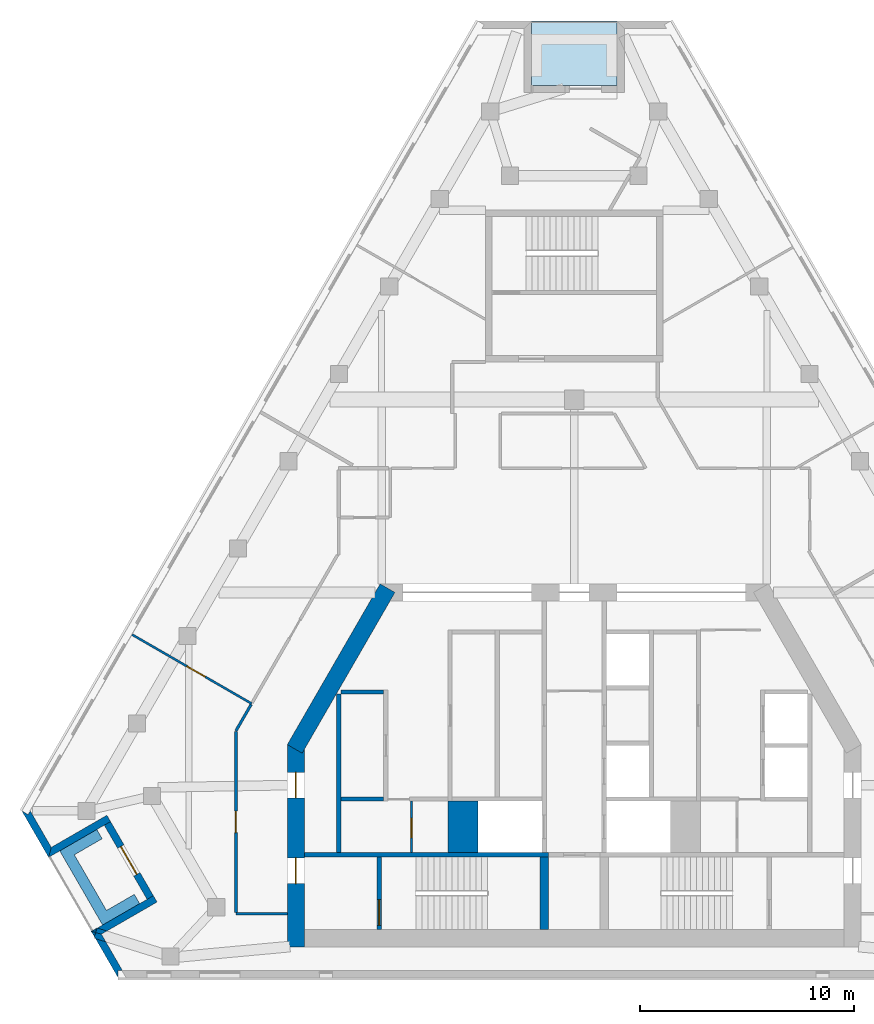
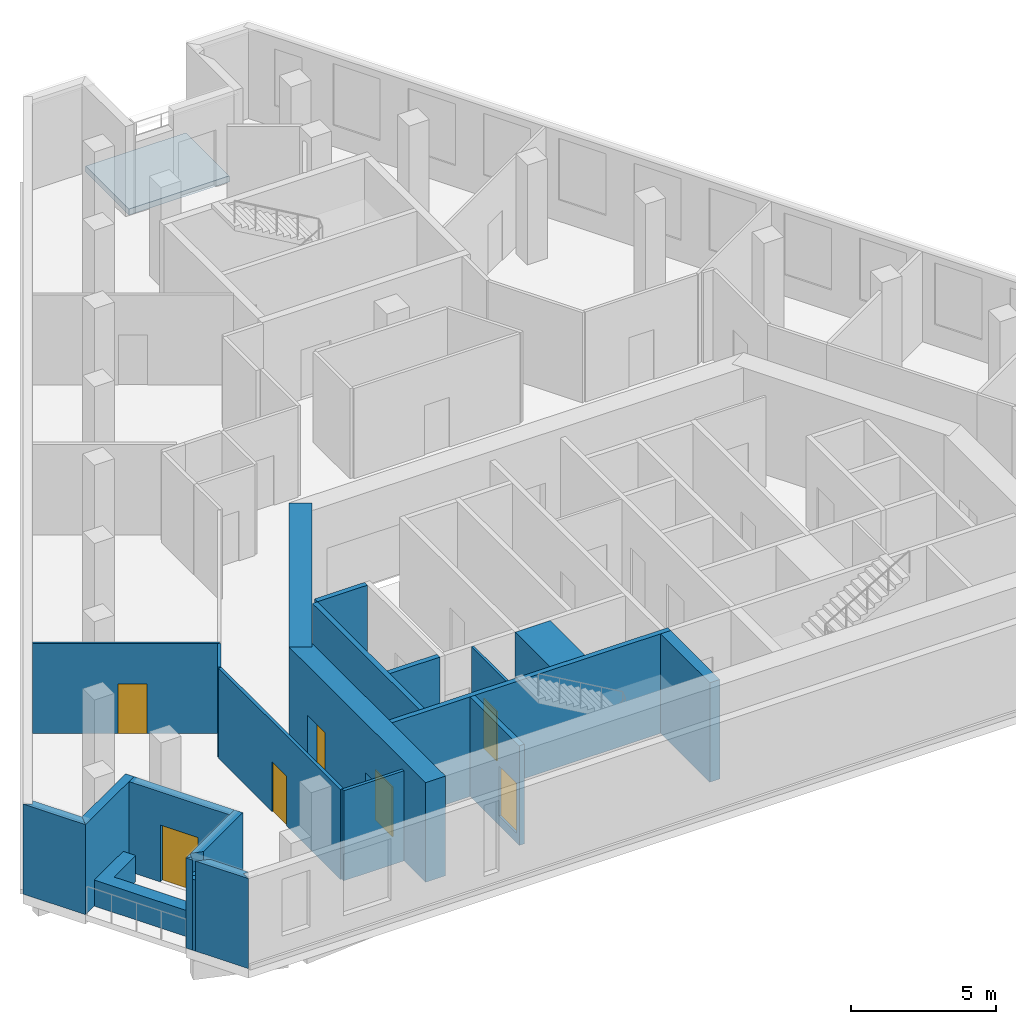
# One storey, part 2 of 8: 24 walls, 7 doors, 1 slab, 7 openings.
"""IFC4 building model written with IfcOpenShell, lengths in metres."""

from ifc_helpers import new_model, si_unit, direction, frame, frame_2d, origin, place, context, subcontext, project, spatial, polyline, rectangle, outline, extrude, material, layer, layer_set, type_object, element, fill, save


model = new_model("IFC4")

# Units and contexts
model_context = context("Model", 3, precision=1e-05, world=origin(), true_north=direction((0.0, 1.0)))
body_context = subcontext(model_context, "Body", "Model", "MODEL_VIEW")
ifc_project = project(units=[si_unit("LENGTHUNIT", "METRE"), si_unit("AREAUNIT", "SQUARE_METRE"), si_unit("VOLUMEUNIT", "CUBIC_METRE"), si_unit("PLANEANGLEUNIT", "RADIAN"), si_unit("MASSUNIT", "GRAM", prefix="KILO")], contexts=[model_context])

# Site, building, storey
site_placement = place(None, origin())
site = spatial("IfcSite", under=ifc_project, at=site_placement, CompositionType="ELEMENT")
building_placement = place(site_placement, origin())
building = spatial("IfcBuilding", under=site, at=building_placement, Name="Fogline Exchange Tower", CompositionType="ELEMENT")
storey_placement = place(building_placement, frame((0.0, 0.0, 275.10009765625)))
storey = spatial("IfcBuildingStorey", under=building, at=storey_placement, Name="L62", CompositionType="ELEMENT", Elevation=275.10009765625)

# Slab
ifc_material_1 = material(Name="Concrete C40", Category="concrete")
ifc_layer_1 = layer(ifc_material_1, 0.25)
ifc_layer_set_1 = layer_set([ifc_layer_1], Name="DK1")
slab_type = type_object("IfcSlabType", Name="DK1", PredefinedType="FLOOR", material=ifc_layer_set_1)
slab_placement = place(storey_placement, frame((0.0, 0.0, -0.25)))
element("IfcSlab", 1, at=slab_placement, inside=storey, type_object=slab_type, Name="Balcony L62 N", PredefinedType="FLOOR", context=body_context, shape_type="SweptSolid", body=[
    extrude(outline(polyline([(2.0, 44.681640625), (-2.0, 44.681640625), (-2.0, 41.681640625), (2.0, 41.681640625), (2.0, 44.681640625)])), origin(), (0.0, 0.0, 1.0), 0.25),
])

# Wall, opening, door
ifc_material_2 = material(Name="Blockwork partition", Category="masonry")
ifc_layer_2 = layer(ifc_material_2, 0.10009765625)
ifc_layer_set_2 = layer_set([ifc_layer_2], Name="CW10")
wall_type_1 = type_object("IfcWallType", Name="CW10", PredefinedType="PARTITIONING", material=ifc_layer_set_2)
wall_1_placement = place(storey_placement, frame((-7.60009765625, 5.85009765625, 0.0), z_axis=(0.0, 0.0, 1.0), x_axis=(0.0, 1.0, 0.0)))
wall_1 = element("IfcWall", 2, at=wall_1_placement, inside=storey, type_object=wall_type_1, Name="WC partition", PredefinedType="PARTITIONING", context=body_context, shape_type="SweptSolid", body=[
    extrude(rectangle(XDim=2.39990234375, YDim=0.10009765625, at=frame_2d((1.199951171875, 0.0))), origin(), (0.0, 0.0, 1.0), 3.7998046875),
])
opening_1_placement = place(wall_1_placement, frame((0.699951171875, 0.0, 0.0)))
opening_1 = element("IfcOpeningElement", 3, at=opening_1_placement, cuts=wall_1, Name="Opening T19-C008", PredefinedType="OPENING", context=body_context, shape_type="SweptSolid", body=[
    extrude(rectangle(XDim=0.89990234375, YDim=2.10009765625, at=frame_2d((0.449951171875, 1.050048828125))), frame((0.0, 0.06005859375, 0.0), z_axis=(0.0, -1.0, 0.0), x_axis=(1.0, 0.0, 0.0)), (0.0, 0.0, 1.0), 0.1201171875),
])
ifc_material_3 = material(Name="Steel and timber fire door", Category="steel")
door_type_1 = type_object("IfcDoorType", Name="D-CS1", OperationType="SINGLE_SWING_RIGHT", PredefinedType="DOOR", material=ifc_material_3)
door_1_placement = place(opening_1_placement, frame((0.89990234375, 0.0, 0.0), z_axis=(0.0, 0.0, 1.0), x_axis=(-1.0, 0.0, 0.0)))
door_1 = element("IfcDoor", 4, at=door_1_placement, inside=storey, type_object=door_type_1, Name="Door to Cleaner's Store", OperationType="SINGLE_SWING_RIGHT", OverallHeight=2.10009765625, OverallWidth=0.89990234375, PredefinedType="DOOR", context=body_context, shape_type="SweptSolid", body=[
    extrude(rectangle(XDim=0.89990234375, YDim=2.10009765625, at=frame_2d((0.449951171875, 1.050048828125))), frame((0.0, 0.02490234375, 0.0), z_axis=(0.0, -1.0, 0.0), x_axis=(1.0, 0.0, 0.0)), (0.0, 0.0, 1.0), 0.050048828125),
])
fill(opening_1, door_1)

# Walls
ifc_material_4 = material(Name="Concrete C60", Category="concrete")
ifc_layer_3 = layer(ifc_material_4, 1.39990234375)
ifc_layer_set_3 = layer_set([ifc_layer_3], Name="CW140")
wall_type_2 = type_object("IfcWallType", Name="CW140", PredefinedType="SOLIDWALL", material=ifc_layer_set_3)
wall_2_placement = place(storey_placement, frame((-5.199951171875, 5.85009765625, -0.400146484375), z_axis=(0.0, 0.0, 1.0), x_axis=(0.0, 1.0, 0.0)))
element("IfcWall", 5, at=wall_2_placement, inside=storey, type_object=wall_type_2, Name="Lift shaft block wall", PredefinedType="SOLIDWALL", context=body_context, shape_type="SweptSolid", body=[
    extrude(rectangle(XDim=2.39990234375, YDim=1.39990234375, at=frame_2d((1.199951171875, 0.0))), origin(), (0.0, 0.0, 1.0), 4.199951171875),
])
ifc_layer_4 = layer(ifc_material_1, 0.199951171875)
ifc_layer_set_4 = layer_set([ifc_layer_4], Name="CW20")
wall_type_3 = type_object("IfcWallType", Name="CW20", PredefinedType="SOLIDWALL", material=ifc_layer_set_4)
wall_3_placement = place(storey_placement, frame((-11.0, 5.85009765625, 0.0), z_axis=(0.0, 0.0, 1.0), x_axis=(0.0, 1.0, 0.0)))
element("IfcWall", 6, at=wall_3_placement, inside=storey, type_object=wall_type_3, Name="Service room wall", PredefinedType="SOLIDWALL", context=body_context, shape_type="SweptSolid", body=[
    extrude(rectangle(XDim=7.39990234375, YDim=0.199951171875, at=frame_2d((3.699951171875, 0.0))), origin(), (0.0, 0.0, 1.0), 3.7998046875),
])
ifc_layer_5 = layer(ifc_material_1, 0.199951171875)
ifc_layer_set_5 = layer_set([ifc_layer_5], Name="CW20R")
wall_type_4 = type_object("IfcWallType", Name="CW20R", PredefinedType="SOLIDWALL", material=ifc_layer_set_5)
wall_4_placement = place(storey_placement, frame((-12.60009765625, 5.75, -0.400146484375), z_axis=(0.0, 0.0, 1.0), x_axis=(1.0, 0.0, 0.0)))
element("IfcWall", 7, at=wall_4_placement, inside=storey, type_object=wall_type_4, Name="Stair enclosure wall", PredefinedType="SOLIDWALL", context=body_context, shape_type="SweptSolid", body=[
    extrude(rectangle(XDim=11.400146484375, YDim=0.199951171875, at=frame_2d((5.7001953125, 0.0))), origin(), (0.0, 0.0, 1.0), 4.199951171875),
])

# Wall, opening, door
wall_5_placement = place(storey_placement, frame((-9.10009765625, 2.25, -0.400146484375), z_axis=(0.0, 0.0, 1.0), x_axis=(0.0, 1.0, 0.0)))
wall_5 = element("IfcWall", 8, at=wall_5_placement, inside=storey, type_object=wall_type_4, Name="Stair enclosure wall", PredefinedType="SOLIDWALL", context=body_context, shape_type="SweptSolid", body=[
    extrude(rectangle(XDim=3.39990234375, YDim=0.199951171875, at=frame_2d((1.699951171875, 0.0))), origin(), (0.0, 0.0, 1.0), 4.199951171875),
])
opening_2_placement = place(wall_5_placement, frame((0.199951171875, 0.0, 0.39990234375)))
opening_2 = element("IfcOpeningElement", 9, at=opening_2_placement, cuts=wall_5, Name="Opening T19-C010", PredefinedType="OPENING", context=body_context, shape_type="SweptSolid", body=[
    extrude(rectangle(XDim=1.199951171875, YDim=2.10009765625, at=frame_2d((0.60009765625, 1.050048828125))), frame((0.0, 0.10986328125, 0.0), z_axis=(0.0, -1.0, 0.0), x_axis=(1.0, 0.0, 0.0)), (0.0, 0.0, 1.0), 0.219970703125),
])
door_type_2 = type_object("IfcDoorType", Name="D-ST1", OperationType="SINGLE_SWING_LEFT", PredefinedType="DOOR", material=ifc_material_3)
door_2_placement = place(opening_2_placement, frame((1.199951171875, 0.0, 0.0), z_axis=(0.0, 0.0, 1.0), x_axis=(-1.0, 0.0, 0.0)))
door_2 = element("IfcDoor", 10, at=door_2_placement, inside=storey, type_object=door_type_2, Name="Stair door ST1", OperationType="SINGLE_SWING_RIGHT", OverallHeight=2.10009765625, OverallWidth=1.199951171875, PredefinedType="DOOR", context=body_context, shape_type="SweptSolid", body=[
    extrude(rectangle(XDim=1.199951171875, YDim=2.10009765625, at=frame_2d((0.60009765625, 1.050048828125))), frame((0.0, 0.02490234375, 0.0), z_axis=(0.0, -1.0, 0.0), x_axis=(1.0, 0.0, 0.0)), (0.0, 0.0, 1.0), 0.050048828125),
])
fill(opening_2, door_2)

# Walls
ifc_layer_6 = layer(ifc_material_1, 0.199951171875)
ifc_layer_set_6 = layer_set([ifc_layer_6], Name="CW20S")
wall_type_5 = type_object("IfcWallType", Name="CW20S", PredefinedType="SOLIDWALL", material=ifc_layer_set_6)
for number, where, z_axis, x_axis, name in (
    (11, (-10.89990234375, 8.35009765625, -0.400146484375), (0.0, 0.0, 1.0), (1.0, 0.0, 0.0), "Lift shaft wall"),
    (12, (-10.89990234375, 13.35009765625, -0.400146484375), (0.0, 0.0, 1.0), (1.0, 0.0, 0.0), "Lift shaft wall"),
):
    element("IfcWall", number, at=place(storey_placement, frame(where, z_axis=z_axis, x_axis=x_axis)), inside=storey, type_object=wall_type_5, Name=name, PredefinedType="SOLIDWALL", context=body_context, shape_type="SweptSolid", body=[
        extrude(rectangle(XDim=2.0, YDim=0.199951171875, at=frame_2d((1.0, 0.0))), origin(), (0.0, 0.0, 1.0), 4.199951171875),
    ])
ifc_layer_7 = layer(ifc_material_1, 0.39990234375)
ifc_layer_set_7 = layer_set([ifc_layer_7], Name="CW40R")
wall_type_6 = type_object("IfcWallType", Name="CW40R", PredefinedType="SOLIDWALL", material=ifc_layer_set_7)
wall_6_placement = place(storey_placement, frame((-1.39990234375, 2.25, -0.400146484375), z_axis=(0.0, 0.0, 1.0), x_axis=(0.0, 1.0, 0.0)))
element("IfcWall", 13, at=wall_6_placement, inside=storey, type_object=wall_type_6, Name="Stair and lift shaft wall", PredefinedType="SOLIDWALL", context=body_context, shape_type="SweptSolid", body=[
    extrude(rectangle(XDim=3.39990234375, YDim=0.39990234375, at=frame_2d((1.699951171875, 0.0))), origin(), (0.0, 0.0, 1.0), 4.199951171875),
])
ifc_material_5 = material(Name="Brick masonry", Category="masonry")
ifc_layer_8 = layer(ifc_material_5, 0.340087890625)
ifc_layer_set_8 = layer_set([ifc_layer_8], Name="FW1")
wall_type_7 = type_object("IfcWallType", Name="FW1", PredefinedType="SOLIDWALL", material=ifc_layer_set_8)
wall_7_placement = place(storey_placement, origin())
element("IfcWall", 14, at=wall_7_placement, inside=storey, type_object=wall_type_7, Name="Brick wall L62 SW-c1", PredefinedType="SOLIDWALL", context=body_context, shape_type="SweptSolid", body=[
    extrude(outline(polyline([(-24.546875, 5.6279296875), (-25.798095703125, 7.794921875), (-25.797607421875, 7.79541015625), (-25.502685546875, 7.625), (-25.404296875, 7.79541015625), (-24.421875, 6.09375), (-24.546630859375, 5.6279296875), (-24.546875, 5.6279296875)])), origin(), (0.0, 0.0, 1.0), 3.7998046875),
])
wall_8_placement = place(storey_placement, origin())
element("IfcWall", 15, at=wall_8_placement, inside=storey, type_object=wall_type_7, Name="Brick wall L62 SW-s1", PredefinedType="SOLIDWALL", context=body_context, shape_type="SweptSolid", body=[
    extrude(outline(polyline([(-21.82421875, 7.594482421875), (-21.653564453125, 7.298828125), (-21.948486328125, 7.128662109375), (-24.547607421875, 5.628173828125), (-24.5478515625, 5.62841796875), (-24.423095703125, 6.093994140625), (-21.82421875, 7.594482421875)])), origin(), (0.0, 0.0, 1.0), 3.7998046875),
])

# Wall, opening, door
wall_9_placement = place(storey_placement, frame((-21.8017578125, 7.214111328125, 0.0), z_axis=(0.0, 0.0, 1.0), x_axis=(0.49999894854, -0.866026010844, 0.0)))
wall_9 = element("IfcWall", 16, at=wall_9_placement, inside=storey, type_object=wall_type_7, Name="Brick wall L62 SW-bk", PredefinedType="SOLIDWALL", context=body_context, shape_type="SweptSolid", body=[
    extrude(rectangle(XDim=4.0, YDim=0.340087890625, at=frame_2d((2.0, 0.0))), origin(), (0.0, 0.0, 1.0), 3.7998046875),
])
opening_3_placement = place(wall_9_placement, frame((1.25, 0.0, 0.0)))
opening_3 = element("IfcOpeningElement", 17, at=opening_3_placement, cuts=wall_9, Name="Opening T19-E021", PredefinedType="OPENING", context=body_context, shape_type="SweptSolid", body=[
    extrude(rectangle(XDim=1.5, YDim=2.39990234375, at=frame_2d((0.75, 1.199951171875))), frame((0.0, 0.18017578125, 0.0), z_axis=(0.0, -1.0, 0.0), x_axis=(1.0, 0.0, 0.0)), (0.0, 0.0, 1.0), 0.360107421875),
])
ifc_material_6 = material(Name="Aluminium and glass", Category="aluminium")
door_type_3 = type_object("IfcDoorType", Name="ED4", OperationType="SINGLE_SWING_LEFT", PredefinedType="DOOR", material=ifc_material_6)
door_3_placement = place(opening_3_placement, frame((1.5, 0.0, 0.0), z_axis=(0.0, 0.0, 1.0), x_axis=(-1.0, 0.0, 0.0)))
door_3 = element("IfcDoor", 18, at=door_3_placement, inside=storey, type_object=door_type_3, Name="Balcony door L62 SW", OperationType="DOUBLE_DOOR_SINGLE_SWING", OverallHeight=2.39990234375, OverallWidth=1.5, PredefinedType="DOOR", context=body_context, shape_type="SweptSolid", body=[
    extrude(rectangle(XDim=1.5, YDim=2.39990234375, at=frame_2d((0.75, 1.199951171875))), frame((0.0, 0.02490234375, 0.0), z_axis=(0.0, -1.0, 0.0), x_axis=(1.0, 0.0, 0.0)), (0.0, 0.0, 1.0), 0.050048828125),
])
fill(opening_3, door_3)

# Walls
wall_10_placement = place(storey_placement, origin())
element("IfcWall", 19, at=wall_10_placement, inside=storey, type_object=wall_type_7, Name="Brick wall L62 SW-s2", PredefinedType="SOLIDWALL", context=body_context, shape_type="SweptSolid", body=[
    extrude(outline(polyline([(-22.26953125, 2.325927734375), (-21.826416015625, 2.187744140625), (-22.08251953125, 2.0400390625), (-22.357177734375, 2.113525390625), (-22.295654296875, 2.310791015625), (-22.26953125, 2.325927734375)])), origin(), (0.0, 0.0, 1.0), 3.0),
])
wall_11_placement = place(storey_placement, origin())
element("IfcWall", 20, at=wall_11_placement, inside=storey, type_object=wall_type_7, Name="Brick wall L62 SW-s2", PredefinedType="SOLIDWALL", context=body_context, shape_type="SweptSolid", body=[
    extrude(outline(polyline([(-22.295654296875, 2.310791015625), (-22.357177734375, 2.113525390625), (-22.548095703125, 2.164794921875), (-22.548095703125, 2.1650390625), (-22.295654296875, 2.310791015625)])), origin(), (0.0, 0.0, 1.0), 3.7998046875),
])
wall_12_placement = place(storey_placement, origin())
element("IfcWall", 21, at=wall_12_placement, inside=storey, type_object=wall_type_7, Name="Brick wall L62 SW-s2", PredefinedType="SOLIDWALL", context=body_context, shape_type="SweptSolid", body=[
    extrude(outline(polyline([(-19.94921875, 3.66552734375), (-19.654296875, 3.8359375), (-19.483642578125, 3.540283203125), (-21.826416015625, 2.187744140625), (-22.26953125, 2.325927734375), (-19.94921875, 3.66552734375)])), origin(), (0.0, 0.0, 1.0), 3.7998046875),
])
wall_13_placement = place(storey_placement, origin())
element("IfcWall", 22, at=wall_13_placement, inside=storey, type_object=wall_type_7, Name="Brick wall L62 SW-c2", PredefinedType="SOLIDWALL", context=body_context, shape_type="SweptSolid", body=[
    extrude(outline(polyline([(-22.41357421875, 1.932861328125), (-22.35693359375, 2.11474609375), (-22.08203125, 2.041015625), (-21.872802734375, 1.678466796875), (-22.353271484375, 1.828369140625), (-22.41357421875, 1.932861328125)])), origin(), (0.0, 0.0, 1.0), 3.0),
])
wall_14_placement = place(storey_placement, origin())
element("IfcWall", 23, at=wall_14_placement, inside=storey, type_object=wall_type_7, Name="Brick wall L62 SW-c2", PredefinedType="SOLIDWALL", context=body_context, shape_type="SweptSolid", body=[
    extrude(outline(polyline([(-21.29638671875, 0.33935546875), (-21.29638671875, -0.0009765625), (-21.296875, -0.001220703125), (-22.353271484375, 1.828369140625), (-21.872802734375, 1.678466796875), (-21.099609375, 0.33935546875), (-21.29638671875, 0.33935546875)])), origin(), (0.0, 0.0, 1.0), 3.7998046875),
])
wall_15_placement = place(storey_placement, origin())
element("IfcWall", 24, at=wall_15_placement, inside=storey, type_object=wall_type_7, Name="Brick wall L62 SW-c2", PredefinedType="SOLIDWALL", context=body_context, shape_type="SweptSolid", body=[
    extrude(outline(polyline([(-22.548095703125, 2.165771484375), (-22.5478515625, 2.166015625), (-22.35693359375, 2.11474609375), (-22.41357421875, 1.932861328125), (-22.548095703125, 2.165771484375)])), origin(), (0.0, 0.0, 1.0), 3.7998046875),
])
ifc_material_7 = material(Name="Concrete C30", Category="concrete")
ifc_layer_9 = layer(ifc_material_7, 0.199951171875)
ifc_layer_set_9 = layer_set([ifc_layer_9], Name="PL1")
wall_type_8 = type_object("IfcWallType", Name="PL1", PredefinedType="USERDEFINED", material=ifc_layer_set_9)
wall_16_placement = place(storey_placement, origin())
element("IfcWall", 25, at=wall_16_placement, inside=storey, type_object=wall_type_8, Name="PLANTER balcony L62 SW", ObjectType="PLANTER", PredefinedType="USERDEFINED", context=body_context, shape_type="SweptSolid", body=[
    extrude(outline(polyline([(-20.54541015625, 3.898193359375), (-21.84423828125, 3.148193359375), (-23.34423828125, 5.74609375), (-22.04541015625, 6.49609375), (-22.29541015625, 6.92919921875), (-24.02734375, 5.92919921875), (-23.77734375, 5.49609375), (-22.02734375, 2.465087890625), (-21.59423828125, 2.715087890625), (-21.59423828125, 2.715087890625), (-20.29541015625, 3.465087890625), (-20.54541015625, 3.898193359375)])), origin(), (0.0, 0.0, 1.0), 1.099853515625),
])

# Wall, opening, door
ifc_material_8 = material(Name="Plasterboard partition, 2 layers each side on steel studs", Category="steel")
ifc_layer_10 = layer(ifc_material_8, 0.10009765625)
ifc_layer_set_10 = layer_set([ifc_layer_10], Name="PW1")
wall_type_9 = type_object("IfcWallType", Name="PW1", PredefinedType="PARTITIONING", material=ifc_layer_set_10)
wall_17_placement = place(storey_placement, frame((-15.06591796875, 12.80615234375, 0.0), z_axis=(0.0, 0.0, 1.0), x_axis=(-0.866025414547, 0.499999981359, 0.0)))
wall_17 = element("IfcWall", 26, at=wall_17_placement, inside=storey, type_object=wall_type_9, Name="wall-L62-W038", PredefinedType="PARTITIONING", context=body_context, shape_type="SweptSolid", body=[
    extrude(rectangle(XDim=6.447265625, YDim=0.10009765625, at=frame_2d((3.2236328125, 0.0))), origin(), (0.0, 0.0, 1.0), 3.7998046875),
])
opening_4_placement = place(wall_17_placement, frame((2.498779296875, 0.0, 0.0)))
opening_4 = element("IfcOpeningElement", 27, at=opening_4_placement, cuts=wall_17, Name="Opening T19-D013", PredefinedType="OPENING", context=body_context, shape_type="SweptSolid", body=[
    extrude(rectangle(XDim=1.0, YDim=2.10009765625, at=frame_2d((0.5, 1.050048828125))), frame((0.0, 0.06005859375, 0.0), z_axis=(0.0, -1.0, 0.0), x_axis=(1.0, 0.0, 0.0)), (0.0, 0.0, 1.0), 0.1201171875),
])
ifc_material_9 = material(Name="Timber door leaf with steel frame", Category="steel")
door_type_4 = type_object("IfcDoorType", Name="D1", OperationType="SINGLE_SWING_LEFT", PredefinedType="DOOR", material=ifc_material_9)
door_4_placement = place(opening_4_placement, frame((1.0, 0.0, 0.0), z_axis=(0.0, 0.0, 1.0), x_axis=(-1.0, 0.0, 0.0)))
door_4 = element("IfcDoor", 28, at=door_4_placement, inside=storey, type_object=door_type_4, Name="door-L62-D013", OperationType="SINGLE_SWING_RIGHT", OverallHeight=2.10009765625, OverallWidth=1.0, PredefinedType="DOOR", context=body_context, shape_type="SweptSolid", body=[
    extrude(rectangle(XDim=1.0, YDim=2.10009765625, at=frame_2d((0.5, 1.050048828125))), frame((0.0, 0.02490234375, 0.0), z_axis=(0.0, -1.0, 0.0), x_axis=(1.0, 0.0, 0.0)), (0.0, 0.0, 1.0), 0.050048828125),
])
fill(opening_4, door_4)

# Wall
ifc_material_10 = material(Name="Plasterboard corridor partition with mineral wool, 2 layers each side")
ifc_layer_11 = layer(ifc_material_10, 0.125)
ifc_layer_set_11 = layer_set([ifc_layer_11], Name="PW2")
wall_type_10 = type_object("IfcWallType", Name="PW2", PredefinedType="PARTITIONING", material=ifc_layer_set_11)
wall_18_placement = place(storey_placement, frame((-13.39990234375, 3.0, 0.0), z_axis=(0.0, 0.0, 1.0), x_axis=(-1.0, 0.0, 0.0)))
element("IfcWall", 29, at=wall_18_placement, inside=storey, type_object=wall_type_10, Name="wall-L62-W015", PredefinedType="PARTITIONING", context=body_context, shape_type="SweptSolid", body=[
    extrude(rectangle(XDim=2.400146484375, YDim=0.125, at=frame_2d((1.2001953125, 0.0))), origin(), (0.0, 0.0, 1.0), 3.7998046875),
])

# Wall, opening, door
wall_19_placement = place(storey_placement, frame((-15.800048828125, 3.0625, 0.0), z_axis=(0.0, 0.0, 1.0), x_axis=(0.0, 1.0, 0.0)))
wall_19 = element("IfcWall", 30, at=wall_19_placement, inside=storey, type_object=wall_type_10, Name="wall-L62-W016", PredefinedType="PARTITIONING", context=body_context, shape_type="SweptSolid", body=[
    extrude(rectangle(XDim=8.44140625, YDim=0.125, at=frame_2d((4.220703125, 0.0))), origin(), (0.0, 0.0, 1.0), 3.7998046875),
])
opening_5_placement = place(wall_19_placement, frame((3.720703125, 0.0, 0.0)))
opening_5 = element("IfcOpeningElement", 31, at=opening_5_placement, cuts=wall_19, Name="Opening T19-D009", PredefinedType="OPENING", context=body_context, shape_type="SweptSolid", body=[
    extrude(rectangle(XDim=1.0, YDim=2.10009765625, at=frame_2d((0.5, 1.050048828125))), frame((0.0, 0.072509765625, 0.0), z_axis=(0.0, -1.0, 0.0), x_axis=(1.0, 0.0, 0.0)), (0.0, 0.0, 1.0), 0.14501953125),
])
ifc_material_11 = material(Name="Fire-rated timber door leaf with steel frame", Category="steel")
door_type_5 = type_object("IfcDoorType", Name="D3", OperationType="SINGLE_SWING_LEFT", PredefinedType="DOOR", material=ifc_material_11)
door_5_placement = place(opening_5_placement, origin())
door_5 = element("IfcDoor", 32, at=door_5_placement, inside=storey, type_object=door_type_5, Name="door-L62-D009", OperationType="SINGLE_SWING_LEFT", OverallHeight=2.10009765625, OverallWidth=1.0, PredefinedType="DOOR", context=body_context, shape_type="SweptSolid", body=[
    extrude(rectangle(XDim=1.0, YDim=2.10009765625, at=frame_2d((0.5, 1.050048828125))), frame((0.0, 0.02490234375, 0.0), z_axis=(0.0, -1.0, 0.0), x_axis=(1.0, 0.0, 0.0)), (0.0, 0.0, 1.0), 0.050048828125),
])
fill(opening_5, door_5)

# Walls
wall_20_placement = place(storey_placement, frame((-15.800048828125, 11.534912109375, 0.0), z_axis=(0.0, 0.0, 1.0), x_axis=(0.500010702031, 0.866019224876, 0.0)))
element("IfcWall", 33, at=wall_20_placement, inside=storey, type_object=wall_type_10, Name="wall-L62-W017", PredefinedType="PARTITIONING", context=body_context, shape_type="SweptSolid", body=[
    extrude(rectangle(XDim=1.41748046875, YDim=0.125, at=frame_2d((0.708740234375, 0.0))), origin(), (0.0, 0.0, 1.0), 3.7998046875),
])
ifc_material_12 = material(Name="Concrete C50", Category="concrete")
ifc_layer_12 = layer(ifc_material_12, 0.800048828125)
ifc_layer_set_12 = layer_set([ifc_layer_12], Name="SW04")
wall_type_11 = type_object("IfcWallType", Name="SW04", PredefinedType="SHEAR", material=ifc_layer_set_12)
wall_21_placement = place(storey_placement, frame((-8.71875, 18.199951171875, 0.0), z_axis=(0.0, 0.0, 1.0), x_axis=(-0.500015780397, -0.866016292776, 0.0)))
element("IfcWall", 34, at=wall_21_placement, inside=storey, type_object=wall_type_11, Name="L62-W905", PredefinedType="SHEAR", context=body_context, shape_type="SweptSolid", body=[
    extrude(rectangle(XDim=8.669677734375, YDim=0.800048828125, at=frame_2d((4.3349609375, 0.0))), origin(), (0.0, 0.0, 1.0), 4.199951171875),
])

# Wall, openings, doors
wall_22_placement = place(storey_placement, frame((-13.0, 10.891845703125, 0.0), z_axis=(0.0, 0.0, 1.0), x_axis=(0.0, -1.0, 0.0)))
wall_22 = element("IfcWall", 35, at=wall_22_placement, inside=storey, type_object=wall_type_11, Name="L62-W906", PredefinedType="SHEAR", context=body_context, shape_type="SweptSolid", body=[
    extrude(rectangle(XDim=9.44189453125, YDim=0.800048828125, at=frame_2d((4.720947265625, 0.0))), origin(), (0.0, 0.0, 1.0), 4.199951171875),
])
opening_6_placement = place(wall_22_placement, frame((5.291748046875, 0.0, 0.0)))
opening_6 = element("IfcOpeningElement", 36, at=opening_6_placement, cuts=wall_22, Name="Opening T19-C009", PredefinedType="OPENING", context=body_context, shape_type="SweptSolid", body=[
    extrude(rectangle(XDim=1.199951171875, YDim=2.10009765625, at=frame_2d((0.60009765625, 1.050048828125))), frame((0.0, 0.41015625, 0.0), z_axis=(0.0, -1.0, 0.0), x_axis=(1.0, 0.0, 0.0)), (0.0, 0.0, 1.0), 0.820068359375),
])
opening_7_placement = place(wall_22_placement, frame((1.291748046875, 0.0, 0.0)))
opening_7 = element("IfcOpeningElement", 37, at=opening_7_placement, cuts=wall_22, Name="Opening T19-C011", PredefinedType="OPENING", context=body_context, shape_type="SweptSolid", body=[
    extrude(rectangle(XDim=1.199951171875, YDim=2.10009765625, at=frame_2d((0.60009765625, 1.050048828125))), frame((0.0, 0.41015625, 0.0), z_axis=(0.0, -1.0, 0.0), x_axis=(1.0, 0.0, 0.0)), (0.0, 0.0, 1.0), 0.820068359375),
])
door_type_6 = type_object("IfcDoorType", Name="D-FR1", OperationType="SINGLE_SWING_RIGHT", PredefinedType="DOOR", material=ifc_material_3)
door_6_placement = place(opening_6_placement, origin())
door_6 = element("IfcDoor", 38, at=door_6_placement, inside=storey, type_object=door_type_6, Name="Front room door ST1", OperationType="SINGLE_SWING_LEFT", OverallHeight=2.10009765625, OverallWidth=1.199951171875, PredefinedType="DOOR", context=body_context, shape_type="SweptSolid", body=[
    extrude(rectangle(XDim=1.199951171875, YDim=2.10009765625, at=frame_2d((0.60009765625, 1.050048828125))), frame((0.0, 0.02490234375, 0.0), z_axis=(0.0, -1.0, 0.0), x_axis=(1.0, 0.0, 0.0)), (0.0, 0.0, 1.0), 0.050048828125),
])
fill(opening_6, door_6)
door_type_7 = type_object("IfcDoorType", Name="D-SV1", OperationType="SINGLE_SWING_LEFT", PredefinedType="DOOR", material=ifc_material_3)
door_7_placement = place(opening_7_placement, origin())
door_7 = element("IfcDoor", 39, at=door_7_placement, inside=storey, type_object=door_type_7, Name="Service door W", OperationType="SINGLE_SWING_LEFT", OverallHeight=2.10009765625, OverallWidth=1.199951171875, PredefinedType="DOOR", context=body_context, shape_type="SweptSolid", body=[
    extrude(rectangle(XDim=1.199951171875, YDim=2.10009765625, at=frame_2d((0.60009765625, 1.050048828125))), frame((0.0, 0.02490234375, 0.0), z_axis=(0.0, -1.0, 0.0), x_axis=(1.0, 0.0, 0.0)), (0.0, 0.0, 1.0), 0.050048828125),
])
fill(opening_7, door_7)

save(model, "model.ifc")
